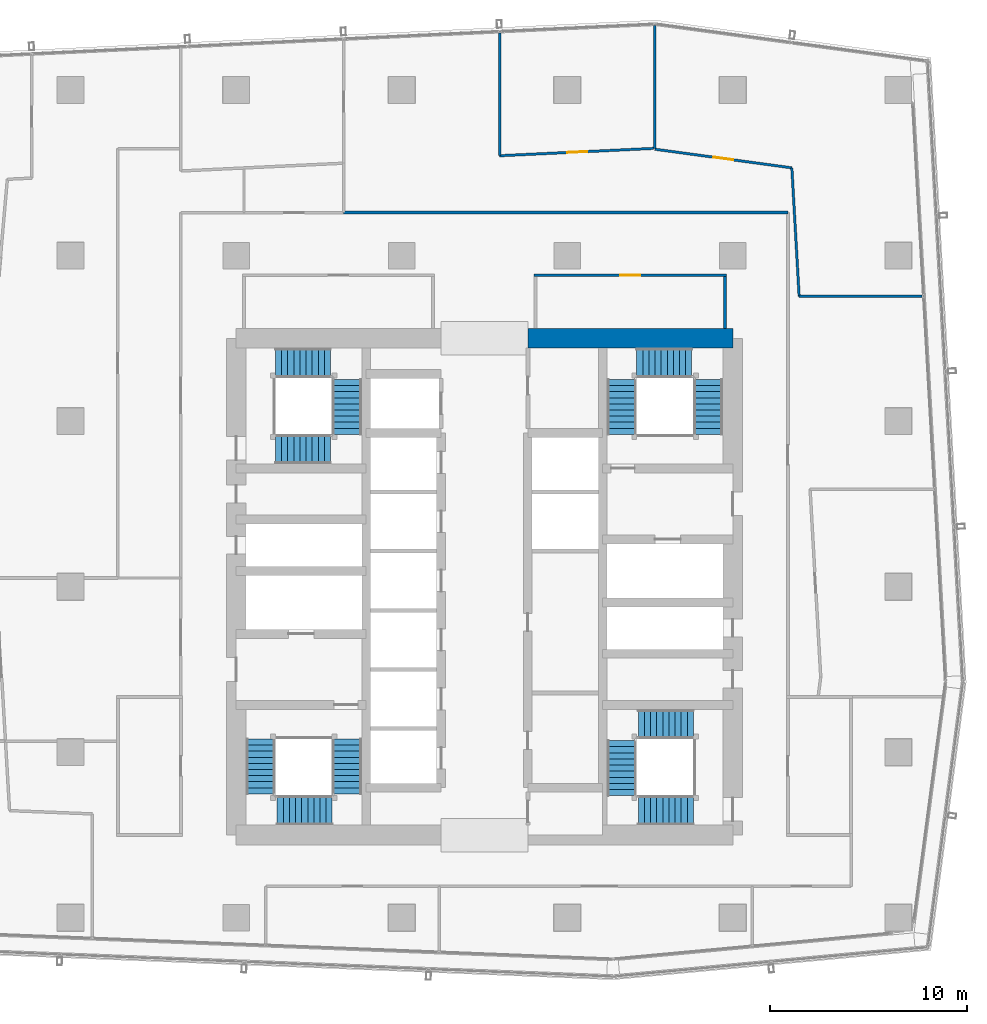
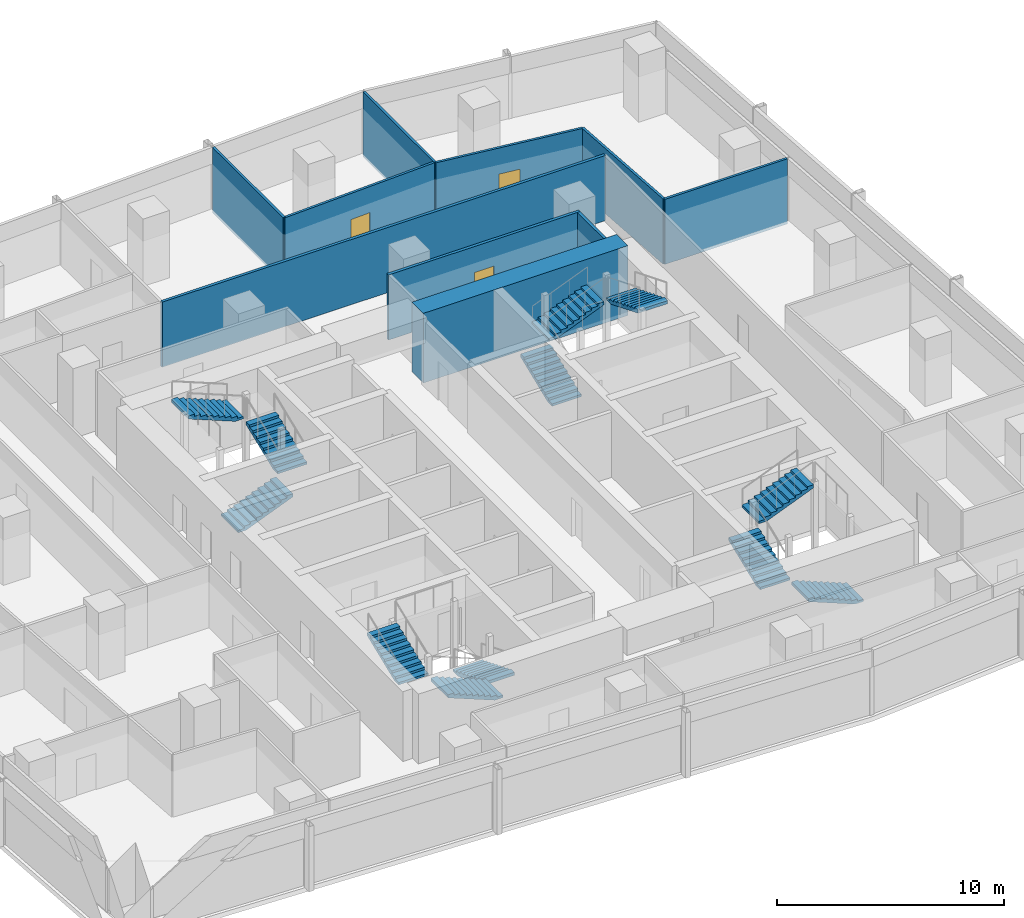
# One storey, part 30 of 39: 12 stair flights, 10 walls, 3 doors, 3 openings, 4 elements without a shape of their own.
"""IFC4 building model written with IfcOpenShell, lengths in metres."""

from ifc_helpers import new_model, si_unit, direction, frame, frame_2d, origin, place, context, subcontext, project, spatial, polyline, rectangle, outline, extrude, material, layer, layer_set, type_object, element, fill, aggregate, save


model = new_model("IFC4")

# Units and contexts
model_context = context("Model", 3, precision=1e-05, world=origin(), true_north=direction((0.0, 1.0)))
body_context = subcontext(model_context, "Body", "Model", "MODEL_VIEW")
ifc_project = project(units=[si_unit("LENGTHUNIT", "METRE"), si_unit("AREAUNIT", "SQUARE_METRE"), si_unit("VOLUMEUNIT", "CUBIC_METRE"), si_unit("PLANEANGLEUNIT", "RADIAN"), si_unit("MASSUNIT", "GRAM", prefix="KILO")], contexts=[model_context])

# Site, building, storey
site_placement = place(None, origin())
site = spatial("IfcSite", under=ifc_project, at=site_placement, CompositionType="ELEMENT")
building_placement = place(site_placement, origin())
building = spatial("IfcBuilding", under=site, at=building_placement, Name="Rekha Terrace Tower", CompositionType="ELEMENT")
storey_placement = place(building_placement, frame((0.0, 0.0, 217.699951171875)))
storey = spatial("IfcBuildingStorey", under=building, at=storey_placement, Name="L55", CompositionType="ELEMENT", Elevation=217.699951171875)

# Wall
ifc_material_1 = material(Name="Concrete M60", Category="concrete")
ifc_layer_1 = layer(ifc_material_1, 1.0)
ifc_layer_set_1 = layer_set([ifc_layer_1], Name="Concrete M60")
wall_type_1 = type_object("IfcWallType", Name="SW3 1000 core outer shear wall", PredefinedType="SHEAR", material=ifc_layer_set_1)
wall_1_placement = place(storey_placement, frame((40.0, 46.199951171875, 0.0), z_axis=(0.0, 0.0, 1.0), x_axis=(1.0, 0.0, 0.0)))
element("IfcWall", 1, at=wall_1_placement, inside=storey, type_object=wall_type_1, Name="Core wall N2 L55", PredefinedType="SHEAR", context=body_context, shape_type="SweptSolid", body=[
    extrude(rectangle(XDim=10.39990234375, YDim=1.0, at=frame_2d((5.199951171875, 0.0))), origin(), (0.0, 0.0, 1.0), 3.75),
])

# Wall, opening, door
ifc_material_2 = material(Name="Concrete block masonry, 1 hour", Category="masonry")
ifc_layer_2 = layer(ifc_material_2, 0.14990234375)
ifc_layer_set_2 = layer_set([ifc_layer_2], Name="Concrete block masonry, 1 hour")
wall_type_2 = type_object("IfcWallType", Name="WP2 150 tenancy partition", PredefinedType="PARTITIONING", material=ifc_layer_set_2)
wall_2_placement = place(storey_placement, frame((40.324951171875, 49.39990234375, 0.0), z_axis=(0.0, 0.0, 1.0), x_axis=(1.0, 0.0, 0.0)))
wall_2 = element("IfcWall", 2, at=wall_2_placement, inside=storey, type_object=wall_type_2, Name="Women's WC wall L55", PredefinedType="PARTITIONING", context=body_context, shape_type="SweptSolid", body=[
    extrude(rectangle(XDim=9.75, YDim=0.14990234375, at=frame_2d((4.875, 0.0))), origin(), (0.0, 0.0, 1.0), 3.5),
])
opening_1_placement = place(wall_2_placement, frame((4.375, 0.0, 0.0)))
opening_1 = element("IfcOpeningElement", 3, at=opening_1_placement, cuts=wall_2, Name="Opening D3", PredefinedType="OPENING", context=body_context, shape_type="SweptSolid", body=[
    extrude(rectangle(XDim=1.0, YDim=2.10009765625, at=frame_2d((0.5, 1.050048828125))), frame((0.0, 0.0849609375, 0.0), z_axis=(0.0, -1.0, 0.0), x_axis=(1.0, 0.0, 0.0)), (0.0, 0.0, 1.0), 0.169921875),
])
ifc_material_3 = material(Name="Laminated timber fire door", Category="wood")
door_type_1 = type_object("IfcDoorType", Name="D3 1000x2100 WC door", OperationType="SINGLE_SWING_LEFT", PredefinedType="DOOR", material=ifc_material_3)
door_1_placement = place(opening_1_placement, origin())
door_1 = element("IfcDoor", 4, at=door_1_placement, inside=storey, type_object=door_type_1, Name="Door women's wc L55", OperationType="SINGLE_SWING_LEFT", OverallHeight=2.10009765625, OverallWidth=1.0, PredefinedType="DOOR", context=body_context, shape_type="SweptSolid", body=[
    extrude(rectangle(XDim=1.0, YDim=2.10009765625, at=frame_2d((0.5, 1.050048828125))), frame((0.0, 0.02490234375, 0.0), z_axis=(0.0, -1.0, 0.0), x_axis=(1.0, 0.0, 0.0)), (0.0, 0.0, 1.0), 0.050048828125),
])
fill(opening_1, door_1)

# Walls
wall_3_placement = place(storey_placement, frame((50.0, 46.699951171875, 0.0), z_axis=(0.0, 0.0, 1.0), x_axis=(0.0, 1.0, 0.0)))
element("IfcWall", 5, at=wall_3_placement, inside=storey, type_object=wall_type_2, Name="Women's WC wall L55", PredefinedType="PARTITIONING", context=body_context, shape_type="SweptSolid", body=[
    extrude(rectangle(XDim=2.625, YDim=0.14990234375, at=frame_2d((1.3125, 0.0))), origin(), (0.0, 0.0, 1.0), 3.5),
])
wall_4_placement = place(storey_placement, frame((53.199951171875, 52.574951171875, 0.0), z_axis=(0.0, 0.0, 1.0), x_axis=(-1.0, 0.0, 0.0)))
element("IfcWall", 6, at=wall_4_placement, inside=storey, type_object=wall_type_2, Name="Partition L55-O1", PredefinedType="PARTITIONING", context=body_context, shape_type="SweptSolid", body=[
    extrude(rectangle(XDim=22.5390625, YDim=0.14990234375, at=frame_2d((11.26953125, 0.0))), origin(), (0.0, 0.0, 1.0), 3.5),
])
ifc_material_4 = material(Name="Two layers of fire-rated gypsum board each side on steel studs, acoustic quilt, 1 hour", Category="steel")
ifc_layer_3 = layer(ifc_material_4, 0.125)
ifc_layer_set_3 = layer_set([ifc_layer_3], Name="Two layers of fire-rated gypsum board each side on steel studs, acoustic quilt, 1 hour")
wall_type_3 = type_object("IfcWallType", Name="WP3 125 office partition", PredefinedType="PARTITIONING", material=ifc_layer_set_3)
wall_5_placement = place(storey_placement, frame((59.99609375, 48.33203125, 0.0), z_axis=(0.0, 0.0, 1.0), x_axis=(-1.0, 0.0, 0.0)))
element("IfcWall", 7, at=wall_5_placement, inside=storey, type_object=wall_type_3, Name="Partition L55-05", PredefinedType="PARTITIONING", context=body_context, shape_type="SweptSolid", body=[
    extrude(rectangle(XDim=6.22998046875, YDim=0.125, at=frame_2d((3.114990234375, 0.0))), origin(), (0.0, 0.0, 1.0), 3.5),
])
wall_6_placement = place(storey_placement, frame((53.76611328125, 48.33203125, 0.0), z_axis=(0.0, 0.0, 1.0), x_axis=(-0.056691956107, 0.998391717771, 0.0)))
element("IfcWall", 8, at=wall_6_placement, inside=storey, type_object=wall_type_3, Name="Partition L55-05", PredefinedType="PARTITIONING", context=body_context, shape_type="SweptSolid", body=[
    extrude(rectangle(XDim=6.528564453125, YDim=0.125, at=frame_2d((3.26416015625, 0.0))), origin(), (0.0, 0.0, 1.0), 3.5),
])

# Wall, opening, door
wall_7_placement = place(storey_placement, frame((53.39599609375, 54.85009765625, 0.0), z_axis=(0.0, 0.0, 1.0), x_axis=(-0.990866774857, 0.134844482587, 0.0)))
wall_7 = element("IfcWall", 9, at=wall_7_placement, inside=storey, type_object=wall_type_3, Name="Partition L55-05", PredefinedType="PARTITIONING", context=body_context, shape_type="SweptSolid", body=[
    extrude(rectangle(XDim=7.013916015625, YDim=0.125, at=frame_2d((3.5068359375, 0.0))), origin(), (0.0, 0.0, 1.0), 3.5),
])
opening_2_placement = place(wall_7_placement, frame((3.008056640625, 0.0, 0.0)))
opening_2 = element("IfcOpeningElement", 10, at=opening_2_placement, cuts=wall_7, Name="Opening D9", PredefinedType="OPENING", context=body_context, shape_type="SweptSolid", body=[
    extrude(rectangle(XDim=1.0, YDim=2.10009765625, at=frame_2d((0.5, 1.050048828125))), frame((0.0, 0.072509765625, 0.0), z_axis=(0.0, -1.0, 0.0), x_axis=(1.0, 0.0, 0.0)), (0.0, 0.0, 1.0), 0.14501953125),
])
ifc_material_5 = material(Name="Timber fire door", Category="wood")
door_type_2 = type_object("IfcDoorType", Name="D9 1000x2100 office door", OperationType="SINGLE_SWING_LEFT", PredefinedType="DOOR", material=ifc_material_5)
door_2_placement = place(opening_2_placement, origin())
door_2 = element("IfcDoor", 11, at=door_2_placement, inside=storey, type_object=door_type_2, Name="Door director's office L55", OperationType="SINGLE_SWING_LEFT", OverallHeight=2.10009765625, OverallWidth=1.0, PredefinedType="DOOR", context=body_context, shape_type="SweptSolid", body=[
    extrude(rectangle(XDim=1.0, YDim=2.10009765625, at=frame_2d((0.5, 1.050048828125))), frame((0.0, 0.02490234375, 0.0), z_axis=(0.0, -1.0, 0.0), x_axis=(1.0, 0.0, 0.0)), (0.0, 0.0, 1.0), 0.050048828125),
])
fill(opening_2, door_2)

# Walls
wall_8_placement = place(storey_placement, frame((46.445068359375, 55.819091796875, 0.0), z_axis=(0.0, 0.0, 1.0), x_axis=(0.0, 1.0, 0.0)))
element("IfcWall", 12, at=wall_8_placement, inside=storey, type_object=wall_type_3, Name="Partition L55-05", PredefinedType="PARTITIONING", context=body_context, shape_type="SweptSolid", body=[
    extrude(rectangle(XDim=6.247802734375, YDim=0.125, at=frame_2d((3.1240234375, 0.0))), origin(), (0.0, 0.0, 1.0), 3.5),
])
wall_9_placement = place(storey_placement, frame((38.571044921875, 55.464111328125, 0.0), z_axis=(0.0, 0.0, 1.0), x_axis=(0.0, 1.0, 0.0)))
element("IfcWall", 13, at=wall_9_placement, inside=storey, type_object=wall_type_3, Name="Partition L55-06", PredefinedType="PARTITIONING", context=body_context, shape_type="SweptSolid", body=[
    extrude(rectangle(XDim=6.226806640625, YDim=0.125, at=frame_2d((3.11328125, 0.0))), origin(), (0.0, 0.0, 1.0), 3.5),
])

# Wall, opening, door
wall_10_placement = place(storey_placement, frame((46.383056640625, 55.8369140625, 0.0), z_axis=(0.0, 0.0, 1.0), x_axis=(-0.998863259329, -0.047667485374, 0.0)))
wall_10 = element("IfcWall", 14, at=wall_10_placement, inside=storey, type_object=wall_type_3, Name="Partition L55-06", PredefinedType="PARTITIONING", context=body_context, shape_type="SweptSolid", body=[
    extrude(rectangle(XDim=7.82080078125, YDim=0.125, at=frame_2d((3.910400390625, 0.0))), origin(), (0.0, 0.0, 1.0), 3.5),
])
opening_3_placement = place(wall_10_placement, frame((3.3798828125, 0.0, 0.0)))
opening_3 = element("IfcOpeningElement", 15, at=opening_3_placement, cuts=wall_10, Name="Opening D9", PredefinedType="OPENING", context=body_context, shape_type="SweptSolid", body=[
    extrude(rectangle(XDim=1.0, YDim=2.10009765625, at=frame_2d((0.5, 1.050048828125))), frame((0.0, 0.072509765625, 0.0), z_axis=(0.0, -1.0, 0.0), x_axis=(1.0, 0.0, 0.0)), (0.0, 0.0, 1.0), 0.14501953125),
])
door_3_placement = place(opening_3_placement, origin())
door_3 = element("IfcDoor", 16, at=door_3_placement, inside=storey, type_object=door_type_2, Name="Door director's office L55", OperationType="SINGLE_SWING_LEFT", OverallHeight=2.10009765625, OverallWidth=1.0, PredefinedType="DOOR", context=body_context, shape_type="SweptSolid", body=[
    extrude(rectangle(XDim=1.0, YDim=2.10009765625, at=frame_2d((0.5, 1.050048828125))), frame((0.0, 0.02490234375, 0.0), z_axis=(0.0, -1.0, 0.0), x_axis=(1.0, 0.0, 0.0)), (0.0, 0.0, 1.0), 0.050048828125),
])
fill(opening_3, door_3)

# Stair, stair flights
ifc_material_6 = material(Name="Concrete M40", Category="concrete")
stair_type = type_object("IfcStairType", Name="ST30 stair, 30 risers of 125, going 310, 1500 wide flights, 3 flights", PredefinedType="HALF_TURN_STAIR", material=ifc_material_6)
stair_1_placement = place(storey_placement, origin())
stair_1 = element("IfcStair", 17, at=stair_1_placement, inside=storey, type_object=stair_type, Name="Stair ST1 L55 to L56", PredefinedType="HALF_TURN_STAIR")
stair_flight_type = type_object("IfcStairFlightType", Name="SF10 stair flight, 10 risers of 125, going 310, 1500 wide", PredefinedType="STRAIGHT", material=ifc_material_6)
stair_flight_1_placement = place(storey_placement, frame((30.824951171875, 25.875, 0.0), z_axis=(0.0, 0.0, 1.0), x_axis=(0.0, -1.0, 0.0)))
stair_flight_1 = element("IfcStairFlight", 18, at=stair_flight_1_placement, type_object=stair_flight_type, Name="ST1 flight 1", NumberOfRisers=10, NumberOfTreads=9, PredefinedType="STRAIGHT", RiserHeight=0.125, TreadLength=0.31, context=body_context, shape_type="SweptSolid", body=[
    extrude(outline(polyline([(0.0, 0.0), (0.0, 0.125), (0.31005859375, 0.125), (0.31005859375, 0.25), (0.6201171875, 0.25), (0.6201171875, 0.375), (0.929931640625, 0.375), (0.929931640625, 0.5), (1.239990234375, 0.5), (1.239990234375, 0.625), (1.550048828125, 0.625), (1.550048828125, 0.75), (1.860107421875, 0.75), (1.860107421875, 0.875), (2.169921875, 0.875), (2.169921875, 1.0), (2.47998046875, 1.0), (2.47998046875, 1.125), (2.7900390625, 1.125), (2.7900390625, 1.25), (2.7900390625, 0.96337890625), (0.40087890625, 0.0), (0.0, 0.0)])), frame((0.0, 0.75, 0.0), z_axis=(0.0, -1.0, 0.0), x_axis=(1.0, 0.0, 0.0)), (0.0, 0.0, 1.0), 1.5),
])
stair_flight_2_placement = place(storey_placement, frame((30.074951171875, 22.25, 1.25), z_axis=(0.0, 0.0, 1.0), x_axis=(-1.0, 0.0, 0.0)))
stair_flight_2 = element("IfcStairFlight", 19, at=stair_flight_2_placement, type_object=stair_flight_type, Name="ST1 flight 2", NumberOfRisers=10, NumberOfTreads=9, PredefinedType="STRAIGHT", RiserHeight=0.125, TreadLength=0.31, context=body_context, shape_type="SweptSolid", body=[
    extrude(outline(polyline([(0.0, 0.0), (0.0, 0.125), (0.31005859375, 0.125), (0.31005859375, 0.25), (0.6201171875, 0.25), (0.6201171875, 0.375), (0.929931640625, 0.375), (0.929931640625, 0.5), (1.239990234375, 0.5), (1.239990234375, 0.625), (1.550048828125, 0.625), (1.550048828125, 0.75), (1.860107421875, 0.75), (1.860107421875, 0.875), (2.169921875, 0.875), (2.169921875, 1.0), (2.47998046875, 1.0), (2.47998046875, 1.125), (2.7900390625, 1.125), (2.7900390625, 1.25), (2.7900390625, 0.96337890625), (0.40087890625, 0.0), (0.0, 0.0)])), frame((0.0, 0.75, 0.0), z_axis=(0.0, -1.0, 0.0), x_axis=(1.0, 0.0, 0.0)), (0.0, 0.0, 1.0), 1.5),
])
stair_flight_3_placement = place(storey_placement, frame((26.449951171875, 23.0849609375, 2.5), z_axis=(0.0, 0.0, 1.0), x_axis=(0.0, 1.0, 0.0)))
stair_flight_3 = element("IfcStairFlight", 20, at=stair_flight_3_placement, type_object=stair_flight_type, Name="ST1 flight 3", NumberOfRisers=10, NumberOfTreads=9, PredefinedType="STRAIGHT", RiserHeight=0.125, TreadLength=0.31, context=body_context, shape_type="SweptSolid", body=[
    extrude(outline(polyline([(0.0, 0.0), (0.0, 0.125), (0.31005859375, 0.125), (0.31005859375, 0.25), (0.6201171875, 0.25), (0.6201171875, 0.375), (0.929931640625, 0.375), (0.929931640625, 0.5), (1.239990234375, 0.5), (1.239990234375, 0.625), (1.550048828125, 0.625), (1.550048828125, 0.75), (1.860107421875, 0.75), (1.860107421875, 0.875), (2.169921875, 0.875), (2.169921875, 1.0), (2.47998046875, 1.0), (2.47998046875, 1.125), (2.7900390625, 1.125), (2.7900390625, 1.25), (2.7900390625, 0.96337890625), (0.40087890625, 0.0), (0.0, 0.0)])), frame((0.0, 0.75, 0.0), z_axis=(0.0, -1.0, 0.0), x_axis=(1.0, 0.0, 0.0)), (0.0, 0.0, 1.0), 1.5),
])
aggregate(stair_1, [stair_flight_1, stair_flight_2, stair_flight_3])

stair_2_placement = place(storey_placement, origin())
stair_2 = element("IfcStair", 21, at=stair_2_placement, inside=storey, type_object=stair_type, Name="Stair ST2 L55 to L56", PredefinedType="HALF_TURN_STAIR")
stair_flight_4_placement = place(storey_placement, frame((44.77490234375, 41.324951171875, 0.0), z_axis=(0.0, 0.0, 1.0), x_axis=(0.0, 1.0, 0.0)))
stair_flight_4 = element("IfcStairFlight", 22, at=stair_flight_4_placement, type_object=stair_flight_type, Name="ST2 flight 1", NumberOfRisers=10, NumberOfTreads=9, PredefinedType="STRAIGHT", RiserHeight=0.125, TreadLength=0.31, context=body_context, shape_type="SweptSolid", body=[
    extrude(outline(polyline([(0.0, 0.0), (0.0, 0.125), (0.31005859375, 0.125), (0.31005859375, 0.25), (0.6201171875, 0.25), (0.6201171875, 0.375), (0.929931640625, 0.375), (0.929931640625, 0.5), (1.239990234375, 0.5), (1.239990234375, 0.625), (1.550048828125, 0.625), (1.550048828125, 0.75), (1.860107421875, 0.75), (1.860107421875, 0.875), (2.169921875, 0.875), (2.169921875, 1.0), (2.47998046875, 1.0), (2.47998046875, 1.125), (2.7900390625, 1.125), (2.7900390625, 1.25), (2.7900390625, 0.96337890625), (0.40087890625, 0.0), (0.0, 0.0)])), frame((0.0, 0.75, 0.0), z_axis=(0.0, -1.0, 0.0), x_axis=(1.0, 0.0, 0.0)), (0.0, 0.0, 1.0), 1.5),
])
stair_flight_5_placement = place(storey_placement, frame((45.52490234375, 44.949951171875, 1.25), z_axis=(0.0, 0.0, 1.0), x_axis=(1.0, 0.0, 0.0)))
stair_flight_5 = element("IfcStairFlight", 23, at=stair_flight_5_placement, type_object=stair_flight_type, Name="ST2 flight 2", NumberOfRisers=10, NumberOfTreads=9, PredefinedType="STRAIGHT", RiserHeight=0.125, TreadLength=0.31, context=body_context, shape_type="SweptSolid", body=[
    extrude(outline(polyline([(0.0, 0.0), (0.0, 0.125), (0.31005859375, 0.125), (0.31005859375, 0.25), (0.6201171875, 0.25), (0.6201171875, 0.375), (0.929931640625, 0.375), (0.929931640625, 0.5), (1.239990234375, 0.5), (1.239990234375, 0.625), (1.550048828125, 0.625), (1.550048828125, 0.75), (1.860107421875, 0.75), (1.860107421875, 0.875), (2.169921875, 0.875), (2.169921875, 1.0), (2.47998046875, 1.0), (2.47998046875, 1.125), (2.7900390625, 1.125), (2.7900390625, 1.25), (2.7900390625, 0.96337890625), (0.40087890625, 0.0), (0.0, 0.0)])), frame((0.0, 0.75, 0.0), z_axis=(0.0, -1.0, 0.0), x_axis=(1.0, 0.0, 0.0)), (0.0, 0.0, 1.0), 1.5),
])
stair_flight_6_placement = place(storey_placement, frame((49.14990234375, 44.114990234375, 2.5), z_axis=(0.0, 0.0, 1.0), x_axis=(0.0, -1.0, 0.0)))
stair_flight_6 = element("IfcStairFlight", 24, at=stair_flight_6_placement, type_object=stair_flight_type, Name="ST2 flight 3", NumberOfRisers=10, NumberOfTreads=9, PredefinedType="STRAIGHT", RiserHeight=0.125, TreadLength=0.31, context=body_context, shape_type="SweptSolid", body=[
    extrude(outline(polyline([(0.0, 0.0), (0.0, 0.125), (0.31005859375, 0.125), (0.31005859375, 0.25), (0.6201171875, 0.25), (0.6201171875, 0.375), (0.929931640625, 0.375), (0.929931640625, 0.5), (1.239990234375, 0.5), (1.239990234375, 0.625), (1.550048828125, 0.625), (1.550048828125, 0.75), (1.860107421875, 0.75), (1.860107421875, 0.875), (2.169921875, 0.875), (2.169921875, 1.0), (2.47998046875, 1.0), (2.47998046875, 1.125), (2.7900390625, 1.125), (2.7900390625, 1.25), (2.7900390625, 0.96337890625), (0.40087890625, 0.0), (0.0, 0.0)])), frame((0.0, 0.75, 0.0), z_axis=(0.0, -1.0, 0.0), x_axis=(1.0, 0.0, 0.0)), (0.0, 0.0, 1.0), 1.5),
])
aggregate(stair_2, [stair_flight_4, stair_flight_5, stair_flight_6])

stair_3_placement = place(storey_placement, origin())
stair_3 = element("IfcStair", 25, at=stair_3_placement, inside=storey, type_object=stair_type, Name="Stair ST3 L55 to L56", PredefinedType="HALF_TURN_STAIR")
stair_flight_7_placement = place(storey_placement, frame((48.39990234375, 22.25, 0.0), z_axis=(0.0, 0.0, 1.0), x_axis=(-1.0, 0.0, 0.0)))
stair_flight_7 = element("IfcStairFlight", 26, at=stair_flight_7_placement, type_object=stair_flight_type, Name="ST3 flight 1", NumberOfRisers=10, NumberOfTreads=9, PredefinedType="STRAIGHT", RiserHeight=0.125, TreadLength=0.31, context=body_context, shape_type="SweptSolid", body=[
    extrude(outline(polyline([(0.0, 0.0), (0.0, 0.125), (0.31005859375, 0.125), (0.31005859375, 0.25), (0.6201171875, 0.25), (0.6201171875, 0.375), (0.929931640625, 0.375), (0.929931640625, 0.5), (1.239990234375, 0.5), (1.239990234375, 0.625), (1.550048828125, 0.625), (1.550048828125, 0.75), (1.860107421875, 0.75), (1.860107421875, 0.875), (2.169921875, 0.875), (2.169921875, 1.0), (2.47998046875, 1.0), (2.47998046875, 1.125), (2.7900390625, 1.125), (2.7900390625, 1.25), (2.7900390625, 0.96337890625), (0.40087890625, 0.0), (0.0, 0.0)])), frame((0.0, 0.75, 0.0), z_axis=(0.0, -1.0, 0.0), x_axis=(1.0, 0.0, 0.0)), (0.0, 0.0, 1.0), 1.5),
])
stair_flight_8_placement = place(storey_placement, frame((44.77490234375, 23.0, 1.25), z_axis=(0.0, 0.0, 1.0), x_axis=(0.0, 1.0, 0.0)))
stair_flight_8 = element("IfcStairFlight", 27, at=stair_flight_8_placement, type_object=stair_flight_type, Name="ST3 flight 2", NumberOfRisers=10, NumberOfTreads=9, PredefinedType="STRAIGHT", RiserHeight=0.125, TreadLength=0.31, context=body_context, shape_type="SweptSolid", body=[
    extrude(outline(polyline([(0.0, 0.0), (0.0, 0.125), (0.31005859375, 0.125), (0.31005859375, 0.25), (0.6201171875, 0.25), (0.6201171875, 0.375), (0.929931640625, 0.375), (0.929931640625, 0.5), (1.239990234375, 0.5), (1.239990234375, 0.625), (1.550048828125, 0.625), (1.550048828125, 0.75), (1.860107421875, 0.75), (1.860107421875, 0.875), (2.169921875, 0.875), (2.169921875, 1.0), (2.47998046875, 1.0), (2.47998046875, 1.125), (2.7900390625, 1.125), (2.7900390625, 1.25), (2.7900390625, 0.96337890625), (0.40087890625, 0.0), (0.0, 0.0)])), frame((0.0, 0.75, 0.0), z_axis=(0.0, -1.0, 0.0), x_axis=(1.0, 0.0, 0.0)), (0.0, 0.0, 1.0), 1.5),
])
stair_flight_9_placement = place(storey_placement, frame((45.610107421875, 26.625, 2.5), z_axis=(0.0, 0.0, 1.0), x_axis=(1.0, 0.0, 0.0)))
stair_flight_9 = element("IfcStairFlight", 28, at=stair_flight_9_placement, type_object=stair_flight_type, Name="ST3 flight 3", NumberOfRisers=10, NumberOfTreads=9, PredefinedType="STRAIGHT", RiserHeight=0.125, TreadLength=0.31, context=body_context, shape_type="SweptSolid", body=[
    extrude(outline(polyline([(0.0, 0.0), (0.0, 0.125), (0.31005859375, 0.125), (0.31005859375, 0.25), (0.6201171875, 0.25), (0.6201171875, 0.375), (0.929931640625, 0.375), (0.929931640625, 0.5), (1.239990234375, 0.5), (1.239990234375, 0.625), (1.550048828125, 0.625), (1.550048828125, 0.75), (1.860107421875, 0.75), (1.860107421875, 0.875), (2.169921875, 0.875), (2.169921875, 1.0), (2.47998046875, 1.0), (2.47998046875, 1.125), (2.7900390625, 1.125), (2.7900390625, 1.25), (2.7900390625, 0.96337890625), (0.40087890625, 0.0), (0.0, 0.0)])), frame((0.0, 0.75, 0.0), z_axis=(0.0, -1.0, 0.0), x_axis=(1.0, 0.0, 0.0)), (0.0, 0.0, 1.0), 1.5),
])
aggregate(stair_3, [stair_flight_7, stair_flight_8, stair_flight_9])

stair_4_placement = place(storey_placement, origin())
stair_4 = element("IfcStair", 29, at=stair_4_placement, inside=storey, type_object=stair_type, Name="Stair ST4 L55 to L56", PredefinedType="HALF_TURN_STAIR")
stair_flight_10_placement = place(storey_placement, frame((27.199951171875, 40.574951171875, 0.0), z_axis=(0.0, 0.0, 1.0), x_axis=(1.0, 0.0, 0.0)))
stair_flight_10 = element("IfcStairFlight", 30, at=stair_flight_10_placement, type_object=stair_flight_type, Name="ST4 flight 1", NumberOfRisers=10, NumberOfTreads=9, PredefinedType="STRAIGHT", RiserHeight=0.125, TreadLength=0.31, context=body_context, shape_type="SweptSolid", body=[
    extrude(outline(polyline([(0.0, 0.0), (0.0, 0.125), (0.31005859375, 0.125), (0.31005859375, 0.25), (0.6201171875, 0.25), (0.6201171875, 0.375), (0.929931640625, 0.375), (0.929931640625, 0.5), (1.239990234375, 0.5), (1.239990234375, 0.625), (1.550048828125, 0.625), (1.550048828125, 0.75), (1.860107421875, 0.75), (1.860107421875, 0.875), (2.169921875, 0.875), (2.169921875, 1.0), (2.47998046875, 1.0), (2.47998046875, 1.125), (2.7900390625, 1.125), (2.7900390625, 1.25), (2.7900390625, 0.96337890625), (0.40087890625, 0.0), (0.0, 0.0)])), frame((0.0, 0.75, 0.0), z_axis=(0.0, -1.0, 0.0), x_axis=(1.0, 0.0, 0.0)), (0.0, 0.0, 1.0), 1.5),
])
stair_flight_11_placement = place(storey_placement, frame((30.824951171875, 41.324951171875, 1.25), z_axis=(0.0, 0.0, 1.0), x_axis=(0.0, 1.0, 0.0)))
stair_flight_11 = element("IfcStairFlight", 31, at=stair_flight_11_placement, type_object=stair_flight_type, Name="ST4 flight 2", NumberOfRisers=10, NumberOfTreads=9, PredefinedType="STRAIGHT", RiserHeight=0.125, TreadLength=0.31, context=body_context, shape_type="SweptSolid", body=[
    extrude(outline(polyline([(0.0, 0.0), (0.0, 0.125), (0.31005859375, 0.125), (0.31005859375, 0.25), (0.6201171875, 0.25), (0.6201171875, 0.375), (0.929931640625, 0.375), (0.929931640625, 0.5), (1.239990234375, 0.5), (1.239990234375, 0.625), (1.550048828125, 0.625), (1.550048828125, 0.75), (1.860107421875, 0.75), (1.860107421875, 0.875), (2.169921875, 0.875), (2.169921875, 1.0), (2.47998046875, 1.0), (2.47998046875, 1.125), (2.7900390625, 1.125), (2.7900390625, 1.25), (2.7900390625, 0.96337890625), (0.40087890625, 0.0), (0.0, 0.0)])), frame((0.0, 0.75, 0.0), z_axis=(0.0, -1.0, 0.0), x_axis=(1.0, 0.0, 0.0)), (0.0, 0.0, 1.0), 1.5),
])
stair_flight_12_placement = place(storey_placement, frame((29.989990234375, 44.949951171875, 2.5), z_axis=(0.0, 0.0, 1.0), x_axis=(-1.0, 0.0, 0.0)))
stair_flight_12 = element("IfcStairFlight", 32, at=stair_flight_12_placement, type_object=stair_flight_type, Name="ST4 flight 3", NumberOfRisers=10, NumberOfTreads=9, PredefinedType="STRAIGHT", RiserHeight=0.125, TreadLength=0.31, context=body_context, shape_type="SweptSolid", body=[
    extrude(outline(polyline([(0.0, 0.0), (0.0, 0.125), (0.31005859375, 0.125), (0.31005859375, 0.25), (0.6201171875, 0.25), (0.6201171875, 0.375), (0.929931640625, 0.375), (0.929931640625, 0.5), (1.239990234375, 0.5), (1.239990234375, 0.625), (1.550048828125, 0.625), (1.550048828125, 0.75), (1.860107421875, 0.75), (1.860107421875, 0.875), (2.169921875, 0.875), (2.169921875, 1.0), (2.47998046875, 1.0), (2.47998046875, 1.125), (2.7900390625, 1.125), (2.7900390625, 1.25), (2.7900390625, 0.96337890625), (0.40087890625, 0.0), (0.0, 0.0)])), frame((0.0, 0.75, 0.0), z_axis=(0.0, -1.0, 0.0), x_axis=(1.0, 0.0, 0.0)), (0.0, 0.0, 1.0), 1.5),
])
aggregate(stair_4, [stair_flight_10, stair_flight_11, stair_flight_12])

save(model, "model.ifc")
